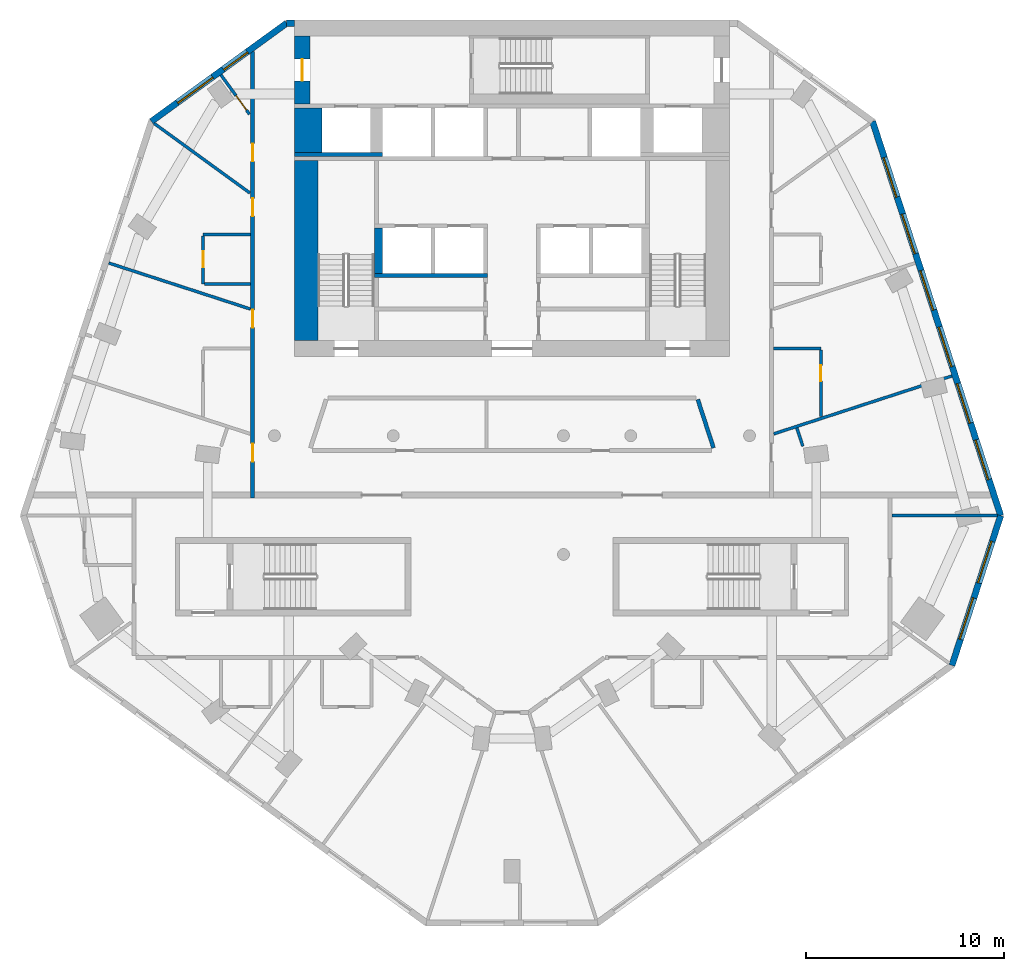
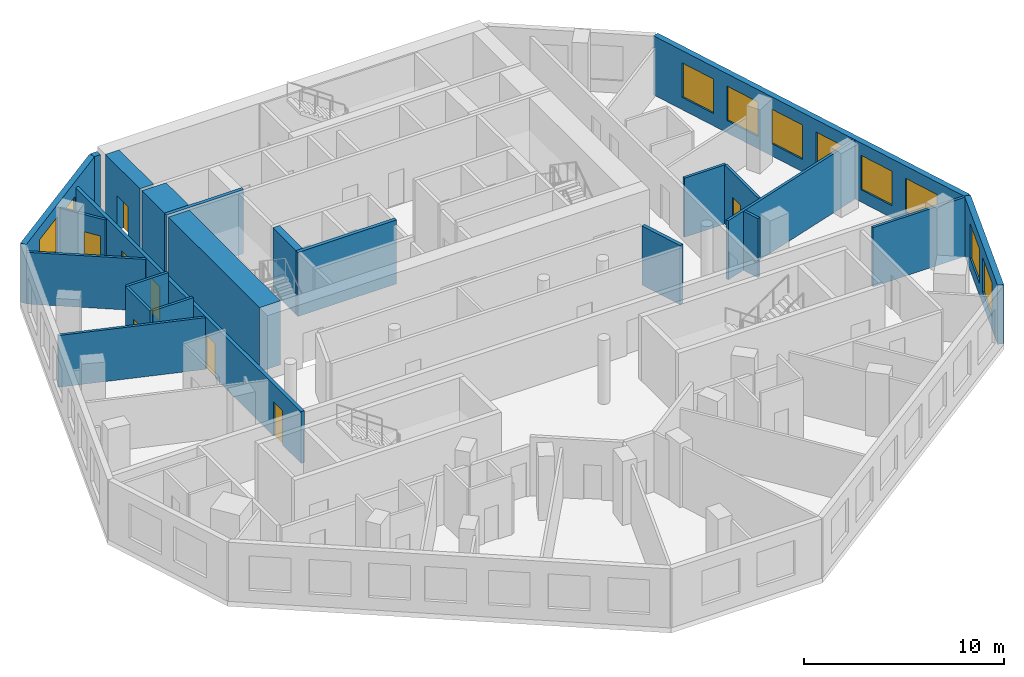
# One storey, part 5 of 9: 23 walls, 10 windows, 8 doors, 18 openings.
"""IFC4 building model written with IfcOpenShell, lengths in metres."""

from ifc_helpers import new_model, si_unit, direction, frame, frame_2d, origin, place, context, subcontext, project, spatial, rectangle, extrude, material, layer, layer_set, type_object, element, fill, save


model = new_model("IFC4")

# Units and contexts
model_context = context("Model", 3, precision=1e-05, world=origin(), true_north=direction((0.0, 1.0)))
body_context = subcontext(model_context, "Body", "Model", "MODEL_VIEW")
ifc_project = project(units=[si_unit("LENGTHUNIT", "METRE"), si_unit("AREAUNIT", "SQUARE_METRE"), si_unit("VOLUMEUNIT", "CUBIC_METRE"), si_unit("PLANEANGLEUNIT", "RADIAN"), si_unit("MASSUNIT", "GRAM", prefix="KILO")], contexts=[model_context])

# Site, building, storey
site_placement = place(None, origin())
site = spatial("IfcSite", under=ifc_project, at=site_placement, CompositionType="ELEMENT")
building_placement = place(site_placement, origin())
building = spatial("IfcBuilding", under=site, at=building_placement, Name="White Candle Pilgrim Tower", CompositionType="ELEMENT")
storey_placement = place(building_placement, frame((0.0, 0.0, 216.0)))
storey = spatial("IfcBuildingStorey", under=building, at=storey_placement, Name="L50", CompositionType="ELEMENT", Elevation=216.0)

# Walls
ifc_material_1 = material(Name="Concrete C50/60", Category="concrete")
ifc_layer_1 = layer(ifc_material_1, 1.39990234375)
ifc_layer_set_1 = layer_set([ifc_layer_1], Name="Core wall 1400 mm Concrete C50/60")
wall_type_1 = type_object("IfcWallType", Name="Core wall 1400 mm Concrete C50/60", PredefinedType="SHEAR", material=ifc_layer_set_1)
wall_1_placement = place(storey_placement, frame((59.699951171875, 81.300048828125, 0.0), z_axis=(0.0, 0.0, 1.0), x_axis=(0.0, 1.0, 0.0)))
element("IfcWall", 1, at=wall_1_placement, inside=storey, type_object=wall_type_1, Name="WL-L50-C43", PredefinedType="SHEAR", context=body_context, shape_type="SweptSolid", body=[
    extrude(rectangle(XDim=2.25, YDim=1.39990234375, at=frame_2d((1.125, 0.0))), origin(), (0.0, 0.0, 1.0), 3.89990234375),
])
ifc_layer_2 = layer(ifc_material_1, 0.199951171875)
ifc_layer_set_2 = layer_set([ifc_layer_2], Name="Core wall 200 mm Concrete C50/60")
wall_type_2 = type_object("IfcWallType", Name="Core wall 200 mm Concrete C50/60", PredefinedType="SHEAR", material=ifc_layer_set_2)
wall_2_placement = place(storey_placement, frame((59.0, 81.199951171875, 0.0), z_axis=(0.0, 0.0, 1.0), x_axis=(1.0, 0.0, 0.0)))
element("IfcWall", 2, at=wall_2_placement, inside=storey, type_object=wall_type_2, Name="WL-L50-C37", PredefinedType="SHEAR", context=body_context, shape_type="SweptSolid", body=[
    extrude(rectangle(XDim=4.449951171875, YDim=0.199951171875, at=frame_2d((2.22509765625, 0.0))), origin(), (0.0, 0.0, 1.0), 3.89990234375),
])

# Wall, opening, door
ifc_layer_3 = layer(ifc_material_1, 0.800048828125)
ifc_layer_set_3 = layer_set([ifc_layer_3], Name="Core wall 800 mm Concrete C50/60")
wall_type_3 = type_object("IfcWallType", Name="Core wall 800 mm Concrete C50/60", PredefinedType="SHEAR", material=ifc_layer_set_3)
wall_3_placement = place(storey_placement, frame((59.39990234375, 83.75, 0.0), z_axis=(0.0, 0.0, 1.0), x_axis=(0.0, 1.0, 0.0)))
wall_3 = element("IfcWall", 3, at=wall_3_placement, inside=storey, type_object=wall_type_3, Name="WL-L50-C48", PredefinedType="SHEAR", context=body_context, shape_type="SweptSolid", body=[
    extrude(rectangle(XDim=3.449951171875, YDim=0.800048828125, at=frame_2d((1.72509765625, 0.0))), origin(), (0.0, 0.0, 1.0), 3.89990234375),
])
opening_1_placement = place(wall_3_placement, frame((1.175048828125, 0.0, 0.0)))
opening_1 = element("IfcOpeningElement", 4, at=opening_1_placement, cuts=wall_3, Name="Opening T15-009", PredefinedType="OPENING", context=body_context, shape_type="SweptSolid", body=[
    extrude(rectangle(XDim=1.10009765625, YDim=2.10009765625, at=frame_2d((0.550048828125, 1.050048828125))), frame((0.0, 0.409912109375, 0.0), z_axis=(0.0, -1.0, 0.0), x_axis=(1.0, 0.0, 0.0)), (0.0, 0.0, 1.0), 0.820068359375),
])
ifc_material_2 = material(Name="Steel door leaf", Category="steel")
door_type_1 = type_object("IfcDoorType", Name="Fire door 1100 x 2100 EI 60", OperationType="NOTDEFINED", PredefinedType="DOOR", material=ifc_material_2)
door_1_placement = place(opening_1_placement, origin())
door_1 = element("IfcDoor", 5, at=door_1_placement, inside=storey, type_object=door_type_1, Name="Door T15-009", OperationType="SINGLE_SWING_LEFT", OverallHeight=2.10009765625, OverallWidth=1.10009765625, PredefinedType="DOOR", context=body_context, shape_type="SweptSolid", body=[
    extrude(rectangle(XDim=1.10009765625, YDim=2.10009765625, at=frame_2d((0.550048828125, 1.050048828125))), frame((0.0, 0.02490234375, 0.0), z_axis=(0.0, -1.0, 0.0), x_axis=(1.0, 0.0, 0.0)), (0.0, 0.0, 1.0), 0.050048828125),
])
fill(opening_1, door_1)

# Wall, openings, doors
ifc_material_3 = material(Name="Gypsum board on steel studs", Category="steel")
ifc_layer_4 = layer(ifc_material_3, 0.199951171875)
ifc_layer_set_4 = layer_set([ifc_layer_4], Name="Corridor wall 200 mm EI 45")
wall_type_4 = type_object("IfcWallType", Name="Corridor wall 200 mm EI 45", PredefinedType="PARTITIONING", material=ifc_layer_set_4)
wall_4_placement = place(storey_placement, frame((56.89990234375, 63.85009765625, 0.0), z_axis=(0.0, 0.0, 1.0), x_axis=(0.0, 1.0, 0.0)))
wall_4 = element("IfcWall", 6, at=wall_4_placement, inside=storey, type_object=wall_type_4, Name="WL-L50-P002", PredefinedType="PARTITIONING", context=body_context, shape_type="SweptSolid", body=[
    extrude(rectangle(XDim=22.546142578125, YDim=0.199951171875, at=frame_2d((11.27294921875, 0.0))), origin(), (0.0, 0.0, 1.0), 3.14990234375),
])
opening_2_placement = place(wall_4_placement, frame((1.844970703125, 0.0, 0.0)))
opening_2 = element("IfcOpeningElement", 7, at=opening_2_placement, cuts=wall_4, Name="Opening T15-123", PredefinedType="OPENING", context=body_context, shape_type="SweptSolid", body=[
    extrude(rectangle(XDim=0.89990234375, YDim=2.10009765625, at=frame_2d((0.449951171875, 1.050048828125))), frame((0.0, 0.10986328125, 0.0), z_axis=(0.0, -1.0, 0.0), x_axis=(1.0, 0.0, 0.0)), (0.0, 0.0, 1.0), 0.219970703125),
])
opening_3_placement = place(wall_4_placement, frame((8.61181640625, 0.0, 0.0)))
opening_3 = element("IfcOpeningElement", 8, at=opening_3_placement, cuts=wall_4, Name="Opening T15-124", PredefinedType="OPENING", context=body_context, shape_type="SweptSolid", body=[
    extrude(rectangle(XDim=0.89990234375, YDim=2.10009765625, at=frame_2d((0.449951171875, 1.050048828125))), frame((0.0, 0.10986328125, 0.0), z_axis=(0.0, -1.0, 0.0), x_axis=(1.0, 0.0, 0.0)), (0.0, 0.0, 1.0), 0.219970703125),
])
opening_4_placement = place(wall_4_placement, frame((14.235595703125, 0.0, 0.0)))
opening_4 = element("IfcOpeningElement", 9, at=opening_4_placement, cuts=wall_4, Name="Opening T15-125", PredefinedType="OPENING", context=body_context, shape_type="SweptSolid", body=[
    extrude(rectangle(XDim=0.89990234375, YDim=2.10009765625, at=frame_2d((0.449951171875, 1.050048828125))), frame((0.0, 0.10986328125, 0.0), z_axis=(0.0, -1.0, 0.0), x_axis=(1.0, 0.0, 0.0)), (0.0, 0.0, 1.0), 0.219970703125),
])
opening_5_placement = place(wall_4_placement, frame((17.002197265625, 0.0, 0.0)))
opening_5 = element("IfcOpeningElement", 10, at=opening_5_placement, cuts=wall_4, Name="Opening T15-126", PredefinedType="OPENING", context=body_context, shape_type="SweptSolid", body=[
    extrude(rectangle(XDim=0.89990234375, YDim=2.10009765625, at=frame_2d((0.449951171875, 1.050048828125))), frame((0.0, 0.10986328125, 0.0), z_axis=(0.0, -1.0, 0.0), x_axis=(1.0, 0.0, 0.0)), (0.0, 0.0, 1.0), 0.219970703125),
])
door_type_2 = type_object("IfcDoorType", Name="Fire door 900 x 2100 EI 30", OperationType="NOTDEFINED", PredefinedType="DOOR", material=ifc_material_2)
door_2_placement = place(opening_2_placement, origin())
door_2 = element("IfcDoor", 11, at=door_2_placement, inside=storey, type_object=door_type_2, Name="Door T15-123", OperationType="SINGLE_SWING_LEFT", OverallHeight=2.10009765625, OverallWidth=0.89990234375, PredefinedType="DOOR", context=body_context, shape_type="SweptSolid", body=[
    extrude(rectangle(XDim=0.89990234375, YDim=2.10009765625, at=frame_2d((0.449951171875, 1.050048828125))), frame((0.0, 0.02490234375, 0.0), z_axis=(0.0, -1.0, 0.0), x_axis=(1.0, 0.0, 0.0)), (0.0, 0.0, 1.0), 0.050048828125),
])
fill(opening_2, door_2)
door_3_placement = place(opening_3_placement, origin())
door_3 = element("IfcDoor", 12, at=door_3_placement, inside=storey, type_object=door_type_2, Name="Door T15-124", OperationType="SINGLE_SWING_RIGHT", OverallHeight=2.10009765625, OverallWidth=0.89990234375, PredefinedType="DOOR", context=body_context, shape_type="SweptSolid", body=[
    extrude(rectangle(XDim=0.89990234375, YDim=2.10009765625, at=frame_2d((0.449951171875, 1.050048828125))), frame((0.0, 0.02490234375, 0.0), z_axis=(0.0, -1.0, 0.0), x_axis=(1.0, 0.0, 0.0)), (0.0, 0.0, 1.0), 0.050048828125),
])
fill(opening_3, door_3)
door_4_placement = place(opening_4_placement, origin())
door_4 = element("IfcDoor", 13, at=door_4_placement, inside=storey, type_object=door_type_2, Name="Door T15-125", OperationType="SINGLE_SWING_LEFT", OverallHeight=2.10009765625, OverallWidth=0.89990234375, PredefinedType="DOOR", context=body_context, shape_type="SweptSolid", body=[
    extrude(rectangle(XDim=0.89990234375, YDim=2.10009765625, at=frame_2d((0.449951171875, 1.050048828125))), frame((0.0, 0.02490234375, 0.0), z_axis=(0.0, -1.0, 0.0), x_axis=(1.0, 0.0, 0.0)), (0.0, 0.0, 1.0), 0.050048828125),
])
fill(opening_4, door_4)
door_5_placement = place(opening_5_placement, origin())
door_5 = element("IfcDoor", 14, at=door_5_placement, inside=storey, type_object=door_type_2, Name="Door T15-126", OperationType="SINGLE_SWING_RIGHT", OverallHeight=2.10009765625, OverallWidth=0.89990234375, PredefinedType="DOOR", context=body_context, shape_type="SweptSolid", body=[
    extrude(rectangle(XDim=0.89990234375, YDim=2.10009765625, at=frame_2d((0.449951171875, 1.050048828125))), frame((0.0, 0.02490234375, 0.0), z_axis=(0.0, -1.0, 0.0), x_axis=(1.0, 0.0, 0.0)), (0.0, 0.0, 1.0), 0.050048828125),
])
fill(opening_5, door_5)

# Wall
wall_5_placement = place(storey_placement, frame((80.181640625, 66.380859375, 0.0), z_axis=(0.0, 0.0, 1.0), x_axis=(-0.309053927645, 0.951044515155, 0.0)))
element("IfcWall", 15, at=wall_5_placement, inside=storey, type_object=wall_type_4, Name="WL-L50-P013", PredefinedType="PARTITIONING", context=body_context, shape_type="SweptSolid", body=[
    extrude(rectangle(XDim=2.576171875, YDim=0.199951171875, at=frame_2d((1.2880859375, 0.0))), origin(), (0.0, 0.0, 1.0), 3.60009765625),
])

# Wall, openings, windows
ifc_material_4 = material(Name="Precast concrete C40/50", Category="concrete")
ifc_layer_5 = layer(ifc_material_4, 0.320068359375)
ifc_layer_set_5 = layer_set([ifc_layer_5], Name="Facade wall EW1 precast concrete C40/50 pier wall with timber-lined reveals")
wall_type_5 = type_object("IfcWallType", Name="Facade wall EW1 precast concrete C40/50 pier wall with timber-lined reveals", PredefinedType="SOLIDWALL", material=ifc_layer_set_5)
wall_6_placement = place(storey_placement, frame((92.22900390625, 55.396240234375, 0.0), z_axis=(0.0, 0.0, 1.0), x_axis=(0.309020158762, 0.951055488118, 0.0)))
wall_6 = element("IfcWall", 16, at=wall_6_placement, inside=storey, type_object=wall_type_5, Name="Facade wall L50 E chamfer", PredefinedType="SOLIDWALL", context=body_context, shape_type="SweptSolid", body=[
    extrude(rectangle(XDim=7.95654296875, YDim=0.320068359375, at=frame_2d((3.978271484375, 0.0))), origin(), (0.0, 0.0, 1.0), 3.60009765625),
])
opening_6_placement = place(wall_6_placement, frame((1.378173828125, 0.0, 0.75)))
opening_6 = element("IfcOpeningElement", 17, at=opening_6_placement, cuts=wall_6, Name="Opening W4", PredefinedType="OPENING", context=body_context, shape_type="SweptSolid", body=[
    extrude(rectangle(XDim=2.199951171875, YDim=2.10009765625, at=frame_2d((1.10009765625, 1.050048828125))), frame((0.0, 0.169921875, 0.0), z_axis=(0.0, -1.0, 0.0), x_axis=(1.0, 0.0, 0.0)), (0.0, 0.0, 1.0), 0.340087890625),
])
opening_7_placement = place(wall_6_placement, frame((4.378173828125, 0.0, 0.75)))
opening_7 = element("IfcOpeningElement", 18, at=opening_7_placement, cuts=wall_6, Name="Opening W4", PredefinedType="OPENING", context=body_context, shape_type="SweptSolid", body=[
    extrude(rectangle(XDim=2.199951171875, YDim=2.10009765625, at=frame_2d((1.10009765625, 1.050048828125))), frame((0.0, 0.169921875, 0.0), z_axis=(0.0, -1.0, 0.0), x_axis=(1.0, 0.0, 0.0)), (0.0, 0.0, 1.0), 0.340087890625),
])
ifc_material_5 = material(Name="Timber frame with triple glazing", Category="wood")
window_type_1 = type_object("IfcWindowType", Name="Window W4 2200x2100 timber frame triple glazing", PartitioningType="SINGLE_PANEL", PredefinedType="WINDOW", material=ifc_material_5)
window_1_placement = place(opening_6_placement, origin())
window_1 = element("IfcWindow", 19, at=window_1_placement, inside=storey, type_object=window_type_1, Name="Window W4 L50 E chamfer 1", OverallHeight=2.10009765625, OverallWidth=2.199951171875, PartitioningType="SINGLE_PANEL", PredefinedType="WINDOW", context=body_context, shape_type="SweptSolid", body=[
    extrude(rectangle(XDim=2.199951171875, YDim=2.10009765625, at=frame_2d((1.10009765625, 1.050048828125))), frame((0.0, 0.070068359375, 0.0), z_axis=(0.0, -1.0, 0.0), x_axis=(1.0, 0.0, 0.0)), (0.0, 0.0, 1.0), 0.06005859375),
])
fill(opening_6, window_1)
window_2_placement = place(opening_7_placement, origin())
window_2 = element("IfcWindow", 20, at=window_2_placement, inside=storey, type_object=window_type_1, Name="Window W4 L50 E chamfer 2", OverallHeight=2.10009765625, OverallWidth=2.199951171875, PartitioningType="SINGLE_PANEL", PredefinedType="WINDOW", context=body_context, shape_type="SweptSolid", body=[
    extrude(rectangle(XDim=2.199951171875, YDim=2.10009765625, at=frame_2d((1.10009765625, 1.050048828125))), frame((0.0, 0.070068359375, 0.0), z_axis=(0.0, -1.0, 0.0), x_axis=(1.0, 0.0, 0.0)), (0.0, 0.0, 1.0), 0.06005859375),
])
fill(opening_7, window_2)

wall_7_placement = place(storey_placement, frame((94.687744140625, 62.96337890625, 0.0), z_axis=(0.0, 0.0, 1.0), x_axis=(-0.309019363855, 0.951055746401, 0.0)))
wall_7 = element("IfcWall", 21, at=wall_7_placement, inside=storey, type_object=wall_type_5, Name="Facade wall L50 ENE", PredefinedType="SOLIDWALL", context=body_context, shape_type="SweptSolid", body=[
    extrude(rectangle(XDim=20.93701171875, YDim=0.320068359375, at=frame_2d((10.468505859375, 0.0))), origin(), (0.0, 0.0, 1.0), 3.60009765625),
])
opening_8_placement = place(wall_7_placement, frame((1.918701171875, 0.0, 0.75)))
opening_8 = element("IfcOpeningElement", 22, at=opening_8_placement, cuts=wall_7, Name="Opening W3", PredefinedType="OPENING", context=body_context, shape_type="SweptSolid", body=[
    extrude(rectangle(XDim=2.10009765625, YDim=2.10009765625, at=frame_2d((1.050048828125, 1.050048828125))), frame((0.0, 0.169921875, 0.0), z_axis=(0.0, -1.0, 0.0), x_axis=(1.0, 0.0, 0.0)), (0.0, 0.0, 1.0), 0.340087890625),
])
opening_9_placement = place(wall_7_placement, frame((4.918701171875, 0.0, 0.75)))
opening_9 = element("IfcOpeningElement", 23, at=opening_9_placement, cuts=wall_7, Name="Opening W3", PredefinedType="OPENING", context=body_context, shape_type="SweptSolid", body=[
    extrude(rectangle(XDim=2.10009765625, YDim=2.10009765625, at=frame_2d((1.050048828125, 1.050048828125))), frame((0.0, 0.169921875, 0.0), z_axis=(0.0, -1.0, 0.0), x_axis=(1.0, 0.0, 0.0)), (0.0, 0.0, 1.0), 0.340087890625),
])
opening_10_placement = place(wall_7_placement, frame((7.918701171875, 0.0, 0.75)))
opening_10 = element("IfcOpeningElement", 24, at=opening_10_placement, cuts=wall_7, Name="Opening W3", PredefinedType="OPENING", context=body_context, shape_type="SweptSolid", body=[
    extrude(rectangle(XDim=2.10009765625, YDim=2.10009765625, at=frame_2d((1.050048828125, 1.050048828125))), frame((0.0, 0.169921875, 0.0), z_axis=(0.0, -1.0, 0.0), x_axis=(1.0, 0.0, 0.0)), (0.0, 0.0, 1.0), 0.340087890625),
])
opening_11_placement = place(wall_7_placement, frame((10.918701171875, 0.0, 0.75)))
opening_11 = element("IfcOpeningElement", 25, at=opening_11_placement, cuts=wall_7, Name="Opening W3", PredefinedType="OPENING", context=body_context, shape_type="SweptSolid", body=[
    extrude(rectangle(XDim=2.10009765625, YDim=2.10009765625, at=frame_2d((1.050048828125, 1.050048828125))), frame((0.0, 0.169921875, 0.0), z_axis=(0.0, -1.0, 0.0), x_axis=(1.0, 0.0, 0.0)), (0.0, 0.0, 1.0), 0.340087890625),
])
opening_12_placement = place(wall_7_placement, frame((13.918701171875, 0.0, 0.75)))
opening_12 = element("IfcOpeningElement", 26, at=opening_12_placement, cuts=wall_7, Name="Opening W3", PredefinedType="OPENING", context=body_context, shape_type="SweptSolid", body=[
    extrude(rectangle(XDim=2.10009765625, YDim=2.10009765625, at=frame_2d((1.050048828125, 1.050048828125))), frame((0.0, 0.169921875, 0.0), z_axis=(0.0, -1.0, 0.0), x_axis=(1.0, 0.0, 0.0)), (0.0, 0.0, 1.0), 0.340087890625),
])
opening_13_placement = place(wall_7_placement, frame((16.918701171875, 0.0, 0.75)))
opening_13 = element("IfcOpeningElement", 27, at=opening_13_placement, cuts=wall_7, Name="Opening W3", PredefinedType="OPENING", context=body_context, shape_type="SweptSolid", body=[
    extrude(rectangle(XDim=2.10009765625, YDim=2.10009765625, at=frame_2d((1.050048828125, 1.050048828125))), frame((0.0, 0.169921875, 0.0), z_axis=(0.0, -1.0, 0.0), x_axis=(1.0, 0.0, 0.0)), (0.0, 0.0, 1.0), 0.340087890625),
])
window_type_2 = type_object("IfcWindowType", Name="Window W3 2100x2100 timber frame triple glazing", PartitioningType="SINGLE_PANEL", PredefinedType="WINDOW", material=ifc_material_5)
window_3_placement = place(opening_8_placement, origin())
window_3 = element("IfcWindow", 28, at=window_3_placement, inside=storey, type_object=window_type_2, Name="Window W3 L50 ENE 1", OverallHeight=2.10009765625, OverallWidth=2.10009765625, PartitioningType="SINGLE_PANEL", PredefinedType="WINDOW", context=body_context, shape_type="SweptSolid", body=[
    extrude(rectangle(XDim=2.10009765625, YDim=2.10009765625, at=frame_2d((1.050048828125, 1.050048828125))), frame((0.0, 0.070068359375, 0.0), z_axis=(0.0, -1.0, 0.0), x_axis=(1.0, 0.0, 0.0)), (0.0, 0.0, 1.0), 0.06005859375),
])
fill(opening_8, window_3)
window_4_placement = place(opening_9_placement, origin())
window_4 = element("IfcWindow", 29, at=window_4_placement, inside=storey, type_object=window_type_2, Name="Window W3 L50 ENE 2", OverallHeight=2.10009765625, OverallWidth=2.10009765625, PartitioningType="SINGLE_PANEL", PredefinedType="WINDOW", context=body_context, shape_type="SweptSolid", body=[
    extrude(rectangle(XDim=2.10009765625, YDim=2.10009765625, at=frame_2d((1.050048828125, 1.050048828125))), frame((0.0, 0.070068359375, 0.0), z_axis=(0.0, -1.0, 0.0), x_axis=(1.0, 0.0, 0.0)), (0.0, 0.0, 1.0), 0.06005859375),
])
fill(opening_9, window_4)
window_5_placement = place(opening_10_placement, origin())
window_5 = element("IfcWindow", 30, at=window_5_placement, inside=storey, type_object=window_type_2, Name="Window W3 L50 ENE 3", OverallHeight=2.10009765625, OverallWidth=2.10009765625, PartitioningType="SINGLE_PANEL", PredefinedType="WINDOW", context=body_context, shape_type="SweptSolid", body=[
    extrude(rectangle(XDim=2.10009765625, YDim=2.10009765625, at=frame_2d((1.050048828125, 1.050048828125))), frame((0.0, 0.070068359375, 0.0), z_axis=(0.0, -1.0, 0.0), x_axis=(1.0, 0.0, 0.0)), (0.0, 0.0, 1.0), 0.06005859375),
])
fill(opening_10, window_5)
window_6_placement = place(opening_11_placement, origin())
window_6 = element("IfcWindow", 31, at=window_6_placement, inside=storey, type_object=window_type_2, Name="Window W3 L50 ENE 4", OverallHeight=2.10009765625, OverallWidth=2.10009765625, PartitioningType="SINGLE_PANEL", PredefinedType="WINDOW", context=body_context, shape_type="SweptSolid", body=[
    extrude(rectangle(XDim=2.10009765625, YDim=2.10009765625, at=frame_2d((1.050048828125, 1.050048828125))), frame((0.0, 0.070068359375, 0.0), z_axis=(0.0, -1.0, 0.0), x_axis=(1.0, 0.0, 0.0)), (0.0, 0.0, 1.0), 0.06005859375),
])
fill(opening_11, window_6)
window_7_placement = place(opening_12_placement, origin())
window_7 = element("IfcWindow", 32, at=window_7_placement, inside=storey, type_object=window_type_2, Name="Window W3 L50 ENE 5", OverallHeight=2.10009765625, OverallWidth=2.10009765625, PartitioningType="SINGLE_PANEL", PredefinedType="WINDOW", context=body_context, shape_type="SweptSolid", body=[
    extrude(rectangle(XDim=2.10009765625, YDim=2.10009765625, at=frame_2d((1.050048828125, 1.050048828125))), frame((0.0, 0.070068359375, 0.0), z_axis=(0.0, -1.0, 0.0), x_axis=(1.0, 0.0, 0.0)), (0.0, 0.0, 1.0), 0.06005859375),
])
fill(opening_12, window_7)
window_8_placement = place(opening_13_placement, origin())
window_8 = element("IfcWindow", 33, at=window_8_placement, inside=storey, type_object=window_type_2, Name="Window W3 L50 ENE 6", OverallHeight=2.10009765625, OverallWidth=2.10009765625, PartitioningType="SINGLE_PANEL", PredefinedType="WINDOW", context=body_context, shape_type="SweptSolid", body=[
    extrude(rectangle(XDim=2.10009765625, YDim=2.10009765625, at=frame_2d((1.050048828125, 1.050048828125))), frame((0.0, 0.070068359375, 0.0), z_axis=(0.0, -1.0, 0.0), x_axis=(1.0, 0.0, 0.0)), (0.0, 0.0, 1.0), 0.06005859375),
])
fill(opening_13, window_8)

# Wall
wall_8_placement = place(storey_placement, frame((59.0, 87.840087890625, 0.0), z_axis=(0.0, 0.0, 1.0), x_axis=(-1.0, 0.0, 0.0)))
element("IfcWall", 34, at=wall_8_placement, inside=storey, type_object=wall_type_5, Name="Facade wall L50 N", PredefinedType="SOLIDWALL", context=body_context, shape_type="SweptSolid", body=[
    extrude(rectangle(XDim=0.385009765625, YDim=0.320068359375, at=frame_2d((0.1923828125, 0.0))), origin(), (0.0, 0.0, 1.0), 3.60009765625),
])

# Wall, openings, windows
wall_9_placement = place(storey_placement, frame((58.614990234375, 87.840087890625, 0.0), z_axis=(0.0, 0.0, 1.0), x_axis=(-0.809013499188, -0.587790062975, 0.0)))
wall_9 = element("IfcWall", 35, at=wall_9_placement, inside=storey, type_object=wall_type_5, Name="Facade wall L50 NW chamfer", PredefinedType="SOLIDWALL", context=body_context, shape_type="SweptSolid", body=[
    extrude(rectangle(XDim=8.44580078125, YDim=0.320068359375, at=frame_2d((4.222900390625, 0.0))), origin(), (0.0, 0.0, 1.0), 3.60009765625),
])
opening_14_placement = place(wall_9_placement, frame((2.459716796875, 0.0, 0.89990234375)))
opening_14 = element("IfcOpeningElement", 36, at=opening_14_placement, cuts=wall_9, Name="Opening W1", PredefinedType="OPENING", context=body_context, shape_type="SweptSolid", body=[
    extrude(rectangle(XDim=1.5, YDim=1.800048828125, at=frame_2d((0.75, 0.89990234375))), frame((0.0, 0.169921875, 0.0), z_axis=(0.0, -1.0, 0.0), x_axis=(1.0, 0.0, 0.0)), (0.0, 0.0, 1.0), 0.340087890625),
])
opening_15_placement = place(wall_9_placement, frame((4.622802734375, 0.0, 0.75)))
opening_15 = element("IfcOpeningElement", 37, at=opening_15_placement, cuts=wall_9, Name="Opening W4", PredefinedType="OPENING", context=body_context, shape_type="SweptSolid", body=[
    extrude(rectangle(XDim=2.199951171875, YDim=2.10009765625, at=frame_2d((1.10009765625, 1.050048828125))), frame((0.0, 0.169921875, 0.0), z_axis=(0.0, -1.0, 0.0), x_axis=(1.0, 0.0, 0.0)), (0.0, 0.0, 1.0), 0.340087890625),
])
window_type_3 = type_object("IfcWindowType", Name="Window W1 1500x1800 timber frame triple glazing", PartitioningType="SINGLE_PANEL", PredefinedType="WINDOW", material=ifc_material_5)
window_9_placement = place(opening_14_placement, origin())
window_9 = element("IfcWindow", 38, at=window_9_placement, inside=storey, type_object=window_type_3, Name="Window W1 L50 NW chamfer 1", OverallHeight=1.800048828125, OverallWidth=1.5, PartitioningType="SINGLE_PANEL", PredefinedType="WINDOW", context=body_context, shape_type="SweptSolid", body=[
    extrude(rectangle(XDim=1.5, YDim=1.800048828125, at=frame_2d((0.75, 0.89990234375))), frame((0.0, 0.070068359375, 0.0), z_axis=(0.0, -1.0, 0.0), x_axis=(1.0, 0.0, 0.0)), (0.0, 0.0, 1.0), 0.06005859375),
])
fill(opening_14, window_9)
window_10_placement = place(opening_15_placement, origin())
window_10 = element("IfcWindow", 39, at=window_10_placement, inside=storey, type_object=window_type_1, Name="Window W4 L50 NW chamfer 2", OverallHeight=2.10009765625, OverallWidth=2.199951171875, PartitioningType="SINGLE_PANEL", PredefinedType="WINDOW", context=body_context, shape_type="SweptSolid", body=[
    extrude(rectangle(XDim=2.199951171875, YDim=2.10009765625, at=frame_2d((1.10009765625, 1.050048828125))), frame((0.0, 0.070068359375, 0.0), z_axis=(0.0, -1.0, 0.0), x_axis=(1.0, 0.0, 0.0)), (0.0, 0.0, 1.0), 0.06005859375),
])
fill(opening_15, window_10)

# Walls
ifc_layer_6 = layer(ifc_material_3, 0.14990234375)
ifc_layer_set_6 = layer_set([ifc_layer_6], Name="Partition 150 mm EI 60")
wall_type_6 = type_object("IfcWallType", Name="Partition 150 mm EI 60", PredefinedType="PARTITIONING", material=ifc_layer_set_6)
wall_10_placement = place(storey_placement, frame((51.91845703125, 82.77685546875, 0.0), z_axis=(0.0, 0.0, 1.0), x_axis=(0.809011434577, -0.587792904622, 0.0)))
element("IfcWall", 40, at=wall_10_placement, inside=storey, type_object=wall_type_6, Name="WL-L50-P015", PredefinedType="PARTITIONING", context=body_context, shape_type="SweptSolid", body=[
    extrude(rectangle(XDim=5.9794921875, YDim=0.14990234375, at=frame_2d((2.98974609375, 0.0))), origin(), (0.0, 0.0, 1.0), 3.14990234375),
])
wall_11_placement = place(storey_placement, frame((94.519287109375, 62.96337890625, 0.0), z_axis=(0.0, 0.0, 1.0), x_axis=(-1.0, 0.0, 0.0)))
element("IfcWall", 41, at=wall_11_placement, inside=storey, type_object=wall_type_6, Name="WL-L50-P021", PredefinedType="PARTITIONING", context=body_context, shape_type="SweptSolid", body=[
    extrude(rectangle(XDim=5.3193359375, YDim=0.14990234375, at=frame_2d((2.65966796875, 0.0))), origin(), (0.0, 0.0, 1.0), 3.60009765625),
])

# Wall, opening, door
wall_12_placement = place(storey_placement, frame((55.292724609375, 85.228515625, 0.0), z_axis=(0.0, 0.0, 1.0), x_axis=(0.587741046581, -0.809049109859, 0.0)))
wall_12 = element("IfcWall", 42, at=wall_12_placement, inside=storey, type_object=wall_type_6, Name="WL-L50-P023", PredefinedType="PARTITIONING", context=body_context, shape_type="SweptSolid", body=[
    extrude(rectangle(XDim=2.461181640625, YDim=0.14990234375, at=frame_2d((1.23046875, 0.0))), origin(), (0.0, 0.0, 1.0), 3.14990234375),
])
opening_16_placement = place(wall_12_placement, frame((1.300048828125, 0.0, 0.0)))
opening_16 = element("IfcOpeningElement", 43, at=opening_16_placement, cuts=wall_12, Name="Opening T15-127", PredefinedType="OPENING", context=body_context, shape_type="SweptSolid", body=[
    extrude(rectangle(XDim=0.89990234375, YDim=2.10009765625, at=frame_2d((0.449951171875, 1.050048828125))), frame((0.0, 0.0849609375, 0.0), z_axis=(0.0, -1.0, 0.0), x_axis=(1.0, 0.0, 0.0)), (0.0, 0.0, 1.0), 0.169921875),
])
door_6_placement = place(opening_16_placement, origin())
door_6 = element("IfcDoor", 44, at=door_6_placement, inside=storey, type_object=door_type_2, Name="Door T15-127", OperationType="SINGLE_SWING_LEFT", OverallHeight=2.10009765625, OverallWidth=0.89990234375, PredefinedType="DOOR", context=body_context, shape_type="SweptSolid", body=[
    extrude(rectangle(XDim=0.89990234375, YDim=2.10009765625, at=frame_2d((0.449951171875, 1.050048828125))), frame((0.0, 0.02490234375, 0.0), z_axis=(0.0, -1.0, 0.0), x_axis=(1.0, 0.0, 0.0)), (0.0, 0.0, 1.0), 0.050048828125),
])
fill(opening_16, door_6)

# Walls
wall_13_placement = place(storey_placement, frame((49.62646484375, 75.723388671875, 0.0), z_axis=(0.0, 0.0, 1.0), x_axis=(0.951049340024, -0.309039079794, 0.0)))
element("IfcWall", 45, at=wall_13_placement, inside=storey, type_object=wall_type_6, Name="WL-L50-P024", PredefinedType="PARTITIONING", context=body_context, shape_type="SweptSolid", body=[
    extrude(rectangle(XDim=7.518310546875, YDim=0.14990234375, at=frame_2d((3.75927734375, 0.0))), origin(), (0.0, 0.0, 1.0), 3.14990234375),
])
wall_14_placement = place(storey_placement, frame((56.800048828125, 77.159912109375, 0.0), z_axis=(0.0, 0.0, 1.0), x_axis=(-1.0, 0.0, 0.0)))
element("IfcWall", 46, at=wall_14_placement, inside=storey, type_object=wall_type_6, Name="WL-L50-P026", PredefinedType="PARTITIONING", context=body_context, shape_type="SweptSolid", body=[
    extrude(rectangle(XDim=2.400146484375, YDim=0.14990234375, at=frame_2d((1.2001953125, 0.0))), origin(), (0.0, 0.0, 1.0), 3.60009765625),
])

# Wall, opening, door
wall_15_placement = place(storey_placement, frame((54.39990234375, 74.659912109375, 0.0), z_axis=(0.0, 0.0, 1.0), x_axis=(0.0, 1.0, 0.0)))
wall_15 = element("IfcWall", 47, at=wall_15_placement, inside=storey, type_object=wall_type_6, Name="WL-L50-P027", PredefinedType="PARTITIONING", context=body_context, shape_type="SweptSolid", body=[
    extrude(rectangle(XDim=2.425048828125, YDim=0.14990234375, at=frame_2d((1.21240234375, 0.0))), origin(), (0.0, 0.0, 1.0), 3.60009765625),
])
opening_17_placement = place(wall_15_placement, frame((0.85009765625, 0.0, 0.0)))
opening_17 = element("IfcOpeningElement", 48, at=opening_17_placement, cuts=wall_15, Name="Opening T15-101", PredefinedType="OPENING", context=body_context, shape_type="SweptSolid", body=[
    extrude(rectangle(XDim=0.800048828125, YDim=2.10009765625, at=frame_2d((0.39990234375, 1.050048828125))), frame((0.0, 0.0849609375, 0.0), z_axis=(0.0, -1.0, 0.0), x_axis=(1.0, 0.0, 0.0)), (0.0, 0.0, 1.0), 0.169921875),
])
door_type_3 = type_object("IfcDoorType", Name="Fire door 800 x 2100 EI 30", OperationType="NOTDEFINED", PredefinedType="DOOR", material=ifc_material_2)
door_7_placement = place(opening_17_placement, origin())
door_7 = element("IfcDoor", 49, at=door_7_placement, inside=storey, type_object=door_type_3, Name="Door T15-101", OperationType="SINGLE_SWING_LEFT", OverallHeight=2.10009765625, OverallWidth=0.800048828125, PredefinedType="DOOR", context=body_context, shape_type="SweptSolid", body=[
    extrude(rectangle(XDim=0.800048828125, YDim=2.10009765625, at=frame_2d((0.39990234375, 1.050048828125))), frame((0.0, 0.02490234375, 0.0), z_axis=(0.0, -1.0, 0.0), x_axis=(1.0, 0.0, 0.0)), (0.0, 0.0, 1.0), 0.050048828125),
])
fill(opening_17, door_7)

# Walls
wall_16_placement = place(storey_placement, frame((56.800048828125, 74.659912109375, 0.0), z_axis=(0.0, 0.0, 1.0), x_axis=(-1.0, 0.0, 0.0)))
element("IfcWall", 50, at=wall_16_placement, inside=storey, type_object=wall_type_6, Name="WL-L50-P028", PredefinedType="PARTITIONING", context=body_context, shape_type="SweptSolid", body=[
    extrude(rectangle(XDim=2.324951171875, YDim=0.14990234375, at=frame_2d((1.16259765625, 0.0))), origin(), (0.0, 0.0, 1.0), 3.60009765625),
])
wall_17_placement = place(storey_placement, frame((92.2275390625, 70.016845703125, 0.0), z_axis=(0.0, 0.0, 1.0), x_axis=(-0.951061731956, -0.309000941761, 0.0)))
element("IfcWall", 51, at=wall_17_placement, inside=storey, type_object=wall_type_6, Name="WL-L50-P047", PredefinedType="PARTITIONING", context=body_context, shape_type="SweptSolid", body=[
    extrude(rectangle(XDim=9.4677734375, YDim=0.14990234375, at=frame_2d((4.73388671875, 0.0))), origin(), (0.0, 0.0, 1.0), 3.60009765625),
])
wall_18_placement = place(storey_placement, frame((83.199951171875, 71.39990234375, 0.0), z_axis=(0.0, 0.0, 1.0), x_axis=(1.0, 0.0, 0.0)))
element("IfcWall", 52, at=wall_18_placement, inside=storey, type_object=wall_type_6, Name="WL-L50-P049", PredefinedType="PARTITIONING", context=body_context, shape_type="SweptSolid", body=[
    extrude(rectangle(XDim=2.400146484375, YDim=0.14990234375, at=frame_2d((1.2001953125, 0.0))), origin(), (0.0, 0.0, 1.0), 3.60009765625),
])

# Wall, opening, door
wall_19_placement = place(storey_placement, frame((85.60009765625, 67.966796875, 0.0), z_axis=(0.0, 0.0, 1.0), x_axis=(0.0, 1.0, 0.0)))
wall_19 = element("IfcWall", 53, at=wall_19_placement, inside=storey, type_object=wall_type_6, Name="WL-L50-P050", PredefinedType="PARTITIONING", context=body_context, shape_type="SweptSolid", body=[
    extrude(rectangle(XDim=3.358154296875, YDim=0.14990234375, at=frame_2d((1.67919921875, 0.0))), origin(), (0.0, 0.0, 1.0), 3.60009765625),
])
opening_18_placement = place(wall_19_placement, frame((1.783203125, 0.0, 0.0)))
opening_18 = element("IfcOpeningElement", 54, at=opening_18_placement, cuts=wall_19, Name="Opening T15-117", PredefinedType="OPENING", context=body_context, shape_type="SweptSolid", body=[
    extrude(rectangle(XDim=0.800048828125, YDim=2.10009765625, at=frame_2d((0.39990234375, 1.050048828125))), frame((0.0, 0.0849609375, 0.0), z_axis=(0.0, -1.0, 0.0), x_axis=(1.0, 0.0, 0.0)), (0.0, 0.0, 1.0), 0.169921875),
])
door_8_placement = place(opening_18_placement, frame((0.800048828125, 0.0, 0.0), z_axis=(0.0, 0.0, 1.0), x_axis=(-1.0, 0.0, 0.0)))
door_8 = element("IfcDoor", 55, at=door_8_placement, inside=storey, type_object=door_type_3, Name="Door T15-117", OperationType="SINGLE_SWING_RIGHT", OverallHeight=2.10009765625, OverallWidth=0.800048828125, PredefinedType="DOOR", context=body_context, shape_type="SweptSolid", body=[
    extrude(rectangle(XDim=0.800048828125, YDim=2.10009765625, at=frame_2d((0.39990234375, 1.050048828125))), frame((0.0, 0.02490234375, 0.0), z_axis=(0.0, -1.0, 0.0), x_axis=(1.0, 0.0, 0.0)), (0.0, 0.0, 1.0), 0.050048828125),
])
fill(opening_18, door_8)

# Walls
wall_20_placement = place(storey_placement, frame((84.693359375, 66.462158203125, 0.0), z_axis=(0.0, 0.0, 1.0), x_axis=(-0.308950530708, 0.951078109082, 0.0)))
element("IfcWall", 56, at=wall_20_placement, inside=storey, type_object=wall_type_6, Name="WL-L50-P059", PredefinedType="PARTITIONING", context=body_context, shape_type="SweptSolid", body=[
    extrude(rectangle(XDim=0.9775390625, YDim=0.14990234375, at=frame_2d((0.48876953125, 0.0))), origin(), (0.0, 0.0, 1.0), 3.60009765625),
])
ifc_layer_7 = layer(ifc_material_1, 1.199951171875)
ifc_layer_set_7 = layer_set([ifc_layer_7], Name="Stair shaft wall 1200 mm Concrete C50/60")
wall_type_7 = type_object("IfcWallType", Name="Stair shaft wall 1200 mm Concrete C50/60", PredefinedType="SHEAR", material=ifc_layer_set_7)
wall_21_placement = place(storey_placement, frame((59.60009765625, 71.800048828125, 0.0), z_axis=(0.0, 0.0, 1.0), x_axis=(0.0, 1.0, 0.0)))
element("IfcWall", 57, at=wall_21_placement, inside=storey, type_object=wall_type_7, Name="WL-L50-C12", PredefinedType="SHEAR", context=body_context, shape_type="SweptSolid", body=[
    extrude(rectangle(XDim=9.099853515625, YDim=1.199951171875, at=frame_2d((4.5498046875, 0.0))), origin(), (0.0, 0.0, 1.0), 3.89990234375),
])
ifc_layer_8 = layer(ifc_material_1, 0.199951171875)
ifc_layer_set_8 = layer_set([ifc_layer_8], Name="Stair shaft wall 200 mm Concrete C50/60")
wall_type_8 = type_object("IfcWallType", Name="Stair shaft wall 200 mm Concrete C50/60", PredefinedType="SHEAR", material=ifc_layer_set_8)
wall_22_placement = place(storey_placement, frame((63.050048828125, 75.10009765625, 0.0), z_axis=(0.0, 0.0, 1.0), x_axis=(1.0, 0.0, 0.0)))
element("IfcWall", 58, at=wall_22_placement, inside=storey, type_object=wall_type_8, Name="WL-L50-C24", PredefinedType="SHEAR", context=body_context, shape_type="SweptSolid", body=[
    extrude(rectangle(XDim=5.699951171875, YDim=0.199951171875, at=frame_2d((2.85009765625, 0.0))), origin(), (0.0, 0.0, 1.0), 3.89990234375),
])
ifc_layer_9 = layer(ifc_material_1, 0.39990234375)
ifc_layer_set_9 = layer_set([ifc_layer_9], Name="Stair shaft wall 400 mm Concrete C50/60")
wall_type_9 = type_object("IfcWallType", Name="Stair shaft wall 400 mm Concrete C50/60", PredefinedType="SHEAR", material=ifc_layer_set_9)
wall_23_placement = place(storey_placement, frame((63.25, 75.199951171875, 0.0), z_axis=(0.0, 0.0, 1.0), x_axis=(0.0, 1.0, 0.0)))
element("IfcWall", 59, at=wall_23_placement, inside=storey, type_object=wall_type_9, Name="WL-L50-C26", PredefinedType="SHEAR", context=body_context, shape_type="SweptSolid", body=[
    extrude(rectangle(XDim=2.300048828125, YDim=0.39990234375, at=frame_2d((1.14990234375, 0.0))), origin(), (0.0, 0.0, 1.0), 3.89990234375),
])

save(model, "model.ifc")
